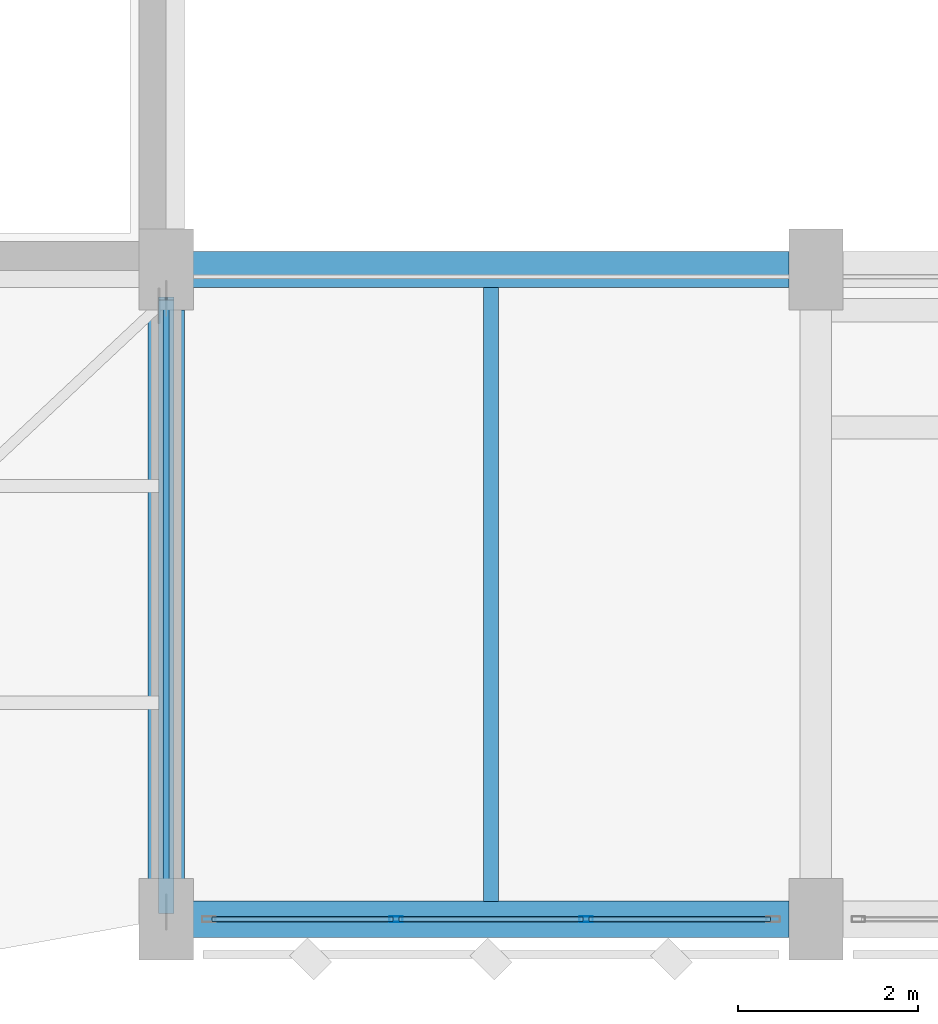
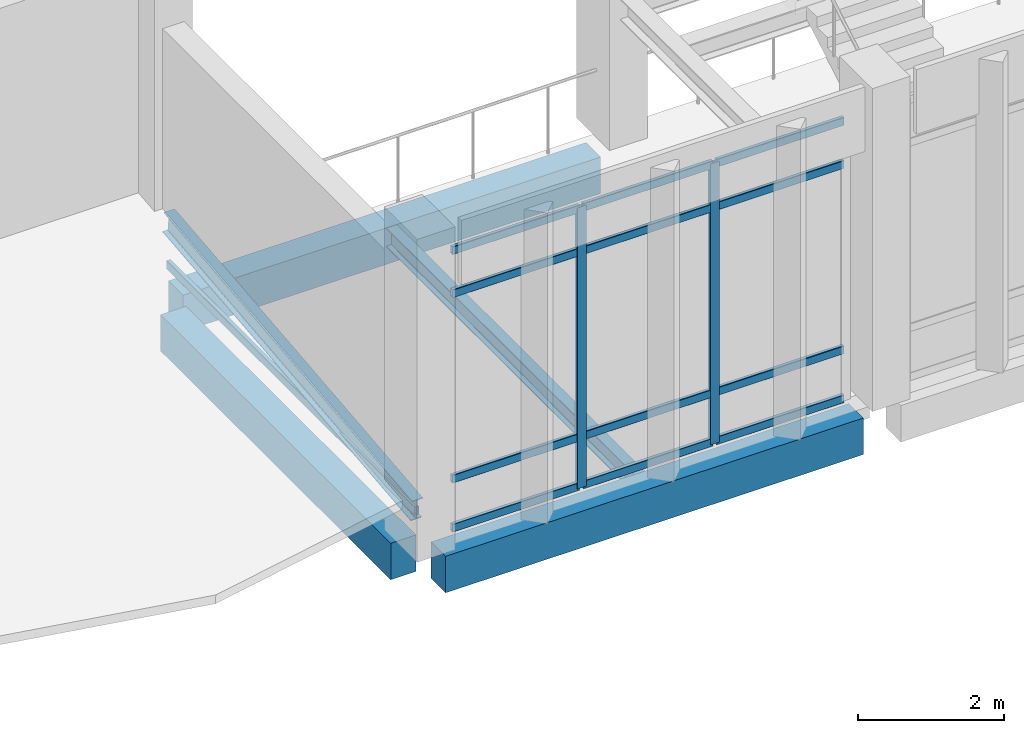
# One storey, part 42 of 180: 15 members, 5 beams, 1 element without a shape of its own.
"""IFC4 building model written with IfcOpenShell, lengths in metres."""

from ifc_helpers import new_model, si_unit, direction, frame, origin, origin_2d, place, context, subcontext, project, spatial, rectangle, hollow_rectangle, i_section, extrude, material, material_profile, profile_set, type_object, element, aggregate, save


model = new_model("IFC4")

# Units and contexts
model_context = context("Model", 3, precision=1e-05, world=origin(), true_north=direction((0.0, 1.0)))
body_context = subcontext(model_context, "Body", "Model", "MODEL_VIEW")
ifc_project = project(units=[si_unit("LENGTHUNIT", "METRE"), si_unit("AREAUNIT", "SQUARE_METRE"), si_unit("VOLUMEUNIT", "CUBIC_METRE"), si_unit("PLANEANGLEUNIT", "RADIAN"), si_unit("MASSUNIT", "GRAM", prefix="KILO")], contexts=[model_context])

# Site, building, storey
site_placement = place(None, origin())
site = spatial("IfcSite", under=ifc_project, at=site_placement, CompositionType="ELEMENT")
building_placement = place(site_placement, origin())
building = spatial("IfcBuilding", under=site, at=building_placement, Name="Lusvemor Sports Hall", CompositionType="ELEMENT")
storey_placement = place(building_placement, frame((0.0, 0.0, 5.39990234375)))
storey = spatial("IfcBuildingStorey", under=building, at=storey_placement, Name="L01", CompositionType="ELEMENT", Elevation=5.39990234375)

# Beam
ifc_material_1 = material(Name="Steel S355", Category="steel")
ifc_material_profile_1 = material_profile(ifc_material_1, i_section(OverallWidth=0.1708984375, OverallDepth=0.35498046875, WebThickness=0.007080078125, FlangeThickness=0.01171875, FilletRadius=0.014892578125, at=origin_2d()), Name="W360x51.0")
ifc_profile_set_1 = profile_set([ifc_material_profile_1], Name="Steel S355")
beam_type_1 = type_object("IfcBeamType", Name="BEAM_ST_360", PredefinedType="BEAM", material=ifc_profile_set_1)
beam_1_placement = place(storey_placement, frame((118.800048828125, 0.080078125, 0.461181640625), z_axis=(0.0, 0.99461932884, 0.103597252368), x_axis=(-1.0, 0.0, 0.0)))
element("IfcBeam", 1, at=beam_1_placement, inside=storey, type_object=beam_type_1, Name="Boulevard Canopy Rafter 13", PredefinedType="BEAM", context=body_context, shape_type="SweptSolid", body=[
    extrude(i_section(OverallWidth=0.1708984375, OverallDepth=0.35498046875, WebThickness=0.007080078125, FlangeThickness=0.01171875, FilletRadius=0.014892578125, at=origin_2d()), origin(), (0.0, 0.0, 1.0), 6.836669921875),
])

# Curtain wall, members
ifc_material_2 = material(Name="Thermally broken bronze-anodized aluminium", Category="aluminium")
curtain_wall_type = type_object("IfcCurtainWallType", Name="CW_COURT_C", PredefinedType="NOTDEFINED", material=ifc_material_2)
curtain_wall_placement = place(storey_placement, origin())
curtain_wall = element("IfcCurtainWall", 2, at=curtain_wall_placement, inside=storey, type_object=curtain_wall_type, Name="Curtain Wall CW-V2S-L01-0", PredefinedType="NOTDEFINED")
ifc_material_3 = material(Name="Thermally broken bronze-anodized aluminium", Category="aluminium")
ifc_material_profile_2 = material_profile(ifc_material_3, hollow_rectangle(XDim=0.06494140625, YDim=0.14990234375, WallThickness=0.00390625, InnerFilletRadius=0.00390625, OuterFilletRadius=0.008056640625, at=origin_2d()), Name="CWMUL150x65x4")
ifc_profile_set_2 = profile_set([ifc_material_profile_2], Name="Thermally broken bronze-anodized aluminium")
member_type_1 = type_object("IfcMemberType", Name="CW_MUL_B", PredefinedType="MULLION", material=ifc_profile_set_2)
member_1_placement = place(storey_placement, frame((123.453369140625, 0.0, 0.0), z_axis=(0.0, 0.0, 1.0), x_axis=(0.0, -1.0, 0.0)))
member_1 = element("IfcMember", 3, at=member_1_placement, type_object=member_type_1, Name="CW03 mullion 2", PredefinedType="MULLION", context=body_context, shape_type="SweptSolid", body=[
    extrude(hollow_rectangle(XDim=0.06494140625, YDim=0.14990234375, WallThickness=0.00390625, InnerFilletRadius=0.00390625, OuterFilletRadius=0.008056640625, at=origin_2d()), origin(), (0.0, 0.0, 1.0), 4.7001953125),
])
member_2_placement = place(storey_placement, frame((121.3466796875, 0.0, 0.0), z_axis=(0.0, 0.0, 1.0), x_axis=(0.0, -1.0, 0.0)))
member_2 = element("IfcMember", 4, at=member_2_placement, type_object=member_type_1, Name="CW03 mullion 3", PredefinedType="MULLION", context=body_context, shape_type="SweptSolid", body=[
    extrude(hollow_rectangle(XDim=0.06494140625, YDim=0.14990234375, WallThickness=0.00390625, InnerFilletRadius=0.00390625, OuterFilletRadius=0.008056640625, at=origin_2d()), origin(), (0.0, 0.0, 1.0), 4.7001953125),
])
ifc_material_4 = material(Name="Thermally broken bronze-anodized aluminium", Category="aluminium")
ifc_material_profile_3 = material_profile(ifc_material_4, hollow_rectangle(XDim=0.06005859375, YDim=0.135009765625, WallThickness=0.00390625, InnerFilletRadius=0.00390625, OuterFilletRadius=0.008056640625, at=origin_2d()), Name="CWTRN135x60x4")
ifc_profile_set_3 = profile_set([ifc_material_profile_3], Name="Thermally broken bronze-anodized aluminium")
member_type_2 = type_object("IfcMemberType", Name="CW_TRN_B", PredefinedType="USERDEFINED", material=ifc_profile_set_3)
member_3_placement = place(storey_placement, frame((125.4951171875, 0.0, 0.030029296875), z_axis=(-1.0, 0.0, 0.0), x_axis=(0.0, -1.0, 0.0)))
member_3 = element("IfcMember", 5, at=member_3_placement, type_object=member_type_2, Name="CW03 transom 1.1", ObjectType="TRANSOM", PredefinedType="USERDEFINED", context=body_context, shape_type="SweptSolid", body=[
    extrude(hollow_rectangle(XDim=0.06005859375, YDim=0.135009765625, WallThickness=0.00390625, InnerFilletRadius=0.00390625, OuterFilletRadius=0.008056640625, at=origin_2d()), origin(), (0.0, 0.0, 1.0), 2.00927734375),
])
member_4_placement = place(storey_placement, frame((125.4951171875, 0.0, 0.85009765625), z_axis=(-1.0, 0.0, 0.0), x_axis=(0.0, -1.0, 0.0)))
member_4 = element("IfcMember", 6, at=member_4_placement, type_object=member_type_2, Name="CW03 transom 1.2", ObjectType="TRANSOM", PredefinedType="USERDEFINED", context=body_context, shape_type="SweptSolid", body=[
    extrude(hollow_rectangle(XDim=0.06005859375, YDim=0.135009765625, WallThickness=0.00390625, InnerFilletRadius=0.00390625, OuterFilletRadius=0.008056640625, at=origin_2d()), origin(), (0.0, 0.0, 1.0), 2.00927734375),
])
member_5_placement = place(storey_placement, frame((125.4951171875, 0.0, 3.9501953125), z_axis=(-1.0, 0.0, 0.0), x_axis=(0.0, -1.0, 0.0)))
member_5 = element("IfcMember", 7, at=member_5_placement, type_object=member_type_2, Name="CW03 transom 1.3", ObjectType="TRANSOM", PredefinedType="USERDEFINED", context=body_context, shape_type="SweptSolid", body=[
    extrude(hollow_rectangle(XDim=0.06005859375, YDim=0.135009765625, WallThickness=0.00390625, InnerFilletRadius=0.00390625, OuterFilletRadius=0.008056640625, at=origin_2d()), origin(), (0.0, 0.0, 1.0), 2.00927734375),
])
member_6_placement = place(storey_placement, frame((125.4951171875, 0.0, 4.670166015625), z_axis=(-1.0, 0.0, 0.0), x_axis=(0.0, -1.0, 0.0)))
member_6 = element("IfcMember", 8, at=member_6_placement, type_object=member_type_2, Name="CW03 transom 1.4", ObjectType="TRANSOM", PredefinedType="USERDEFINED", context=body_context, shape_type="SweptSolid", body=[
    extrude(hollow_rectangle(XDim=0.06005859375, YDim=0.135009765625, WallThickness=0.00390625, InnerFilletRadius=0.00390625, OuterFilletRadius=0.008056640625, at=origin_2d()), origin(), (0.0, 0.0, 1.0), 2.00927734375),
])
member_7_placement = place(storey_placement, frame((123.4208984375, 0.0, 0.030029296875), z_axis=(-1.0, 0.0, 0.0), x_axis=(0.0, -1.0, 0.0)))
member_7 = element("IfcMember", 9, at=member_7_placement, type_object=member_type_2, Name="CW03 transom 2.1", ObjectType="TRANSOM", PredefinedType="USERDEFINED", context=body_context, shape_type="SweptSolid", body=[
    extrude(hollow_rectangle(XDim=0.06005859375, YDim=0.135009765625, WallThickness=0.00390625, InnerFilletRadius=0.00390625, OuterFilletRadius=0.008056640625, at=origin_2d()), origin(), (0.0, 0.0, 1.0), 2.041748046875),
])
member_8_placement = place(storey_placement, frame((123.4208984375, 0.0, 0.85009765625), z_axis=(-1.0, 0.0, 0.0), x_axis=(0.0, -1.0, 0.0)))
member_8 = element("IfcMember", 10, at=member_8_placement, type_object=member_type_2, Name="CW03 transom 2.2", ObjectType="TRANSOM", PredefinedType="USERDEFINED", context=body_context, shape_type="SweptSolid", body=[
    extrude(hollow_rectangle(XDim=0.06005859375, YDim=0.135009765625, WallThickness=0.00390625, InnerFilletRadius=0.00390625, OuterFilletRadius=0.008056640625, at=origin_2d()), origin(), (0.0, 0.0, 1.0), 2.041748046875),
])
member_9_placement = place(storey_placement, frame((123.4208984375, 0.0, 3.9501953125), z_axis=(-1.0, 0.0, 0.0), x_axis=(0.0, -1.0, 0.0)))
member_9 = element("IfcMember", 11, at=member_9_placement, type_object=member_type_2, Name="CW03 transom 2.3", ObjectType="TRANSOM", PredefinedType="USERDEFINED", context=body_context, shape_type="SweptSolid", body=[
    extrude(hollow_rectangle(XDim=0.06005859375, YDim=0.135009765625, WallThickness=0.00390625, InnerFilletRadius=0.00390625, OuterFilletRadius=0.008056640625, at=origin_2d()), origin(), (0.0, 0.0, 1.0), 2.041748046875),
])
member_10_placement = place(storey_placement, frame((123.4208984375, 0.0, 4.670166015625), z_axis=(-1.0, 0.0, 0.0), x_axis=(0.0, -1.0, 0.0)))
member_10 = element("IfcMember", 12, at=member_10_placement, type_object=member_type_2, Name="CW03 transom 2.4", ObjectType="TRANSOM", PredefinedType="USERDEFINED", context=body_context, shape_type="SweptSolid", body=[
    extrude(hollow_rectangle(XDim=0.06005859375, YDim=0.135009765625, WallThickness=0.00390625, InnerFilletRadius=0.00390625, OuterFilletRadius=0.008056640625, at=origin_2d()), origin(), (0.0, 0.0, 1.0), 2.041748046875),
])
member_11_placement = place(storey_placement, frame((121.314208984375, 0.0, 0.030029296875), z_axis=(-1.0, 0.0, 0.0), x_axis=(0.0, -1.0, 0.0)))
member_11 = element("IfcMember", 13, at=member_11_placement, type_object=member_type_2, Name="CW03 transom 3.1", ObjectType="TRANSOM", PredefinedType="USERDEFINED", context=body_context, shape_type="SweptSolid", body=[
    extrude(hollow_rectangle(XDim=0.06005859375, YDim=0.135009765625, WallThickness=0.00390625, InnerFilletRadius=0.00390625, OuterFilletRadius=0.008056640625, at=origin_2d()), origin(), (0.0, 0.0, 1.0), 2.00927734375),
])
member_12_placement = place(storey_placement, frame((121.314208984375, 0.0, 0.85009765625), z_axis=(-1.0, 0.0, 0.0), x_axis=(0.0, -1.0, 0.0)))
member_12 = element("IfcMember", 14, at=member_12_placement, type_object=member_type_2, Name="CW03 transom 3.2", ObjectType="TRANSOM", PredefinedType="USERDEFINED", context=body_context, shape_type="SweptSolid", body=[
    extrude(hollow_rectangle(XDim=0.06005859375, YDim=0.135009765625, WallThickness=0.00390625, InnerFilletRadius=0.00390625, OuterFilletRadius=0.008056640625, at=origin_2d()), origin(), (0.0, 0.0, 1.0), 2.00927734375),
])
member_13_placement = place(storey_placement, frame((121.314208984375, 0.0, 3.9501953125), z_axis=(-1.0, 0.0, 0.0), x_axis=(0.0, -1.0, 0.0)))
member_13 = element("IfcMember", 15, at=member_13_placement, type_object=member_type_2, Name="CW03 transom 3.3", ObjectType="TRANSOM", PredefinedType="USERDEFINED", context=body_context, shape_type="SweptSolid", body=[
    extrude(hollow_rectangle(XDim=0.06005859375, YDim=0.135009765625, WallThickness=0.00390625, InnerFilletRadius=0.00390625, OuterFilletRadius=0.008056640625, at=origin_2d()), origin(), (0.0, 0.0, 1.0), 2.00927734375),
])
member_14_placement = place(storey_placement, frame((121.314208984375, 0.0, 4.670166015625), z_axis=(-1.0, 0.0, 0.0), x_axis=(0.0, -1.0, 0.0)))
member_14 = element("IfcMember", 16, at=member_14_placement, type_object=member_type_2, Name="CW03 transom 3.4", ObjectType="TRANSOM", PredefinedType="USERDEFINED", context=body_context, shape_type="SweptSolid", body=[
    extrude(hollow_rectangle(XDim=0.06005859375, YDim=0.135009765625, WallThickness=0.00390625, InnerFilletRadius=0.00390625, OuterFilletRadius=0.008056640625, at=origin_2d()), origin(), (0.0, 0.0, 1.0), 2.00927734375),
])
aggregate(curtain_wall, [member_1, member_2, member_3, member_4, member_5, member_6, member_7, member_8, member_9, member_10, member_11, member_12, member_13, member_14])

# Beams
ifc_material_5 = material(Name="Steel S355", Category="steel")
ifc_material_profile_4 = material_profile(ifc_material_5, i_section(OverallWidth=0.1669921875, OverallDepth=0.31689453125, WebThickness=0.007568359375, FlangeThickness=0.01318359375, FilletRadius=0.014892578125, at=origin_2d()), Name="W310x52.0")
ifc_profile_set_4 = profile_set([ifc_material_profile_4], Name="Steel S355")
beam_type_2 = type_object("IfcBeamType", Name="JOIST_ST_310M", PredefinedType="JOIST", material=ifc_profile_set_4)
beam_2_placement = place(storey_placement, frame((122.39990234375, 0.196044921875, -0.42236328125), z_axis=(0.0, 1.0, 0.0), x_axis=(-1.0, 0.0, 0.0)))
element("IfcBeam", 17, at=beam_2_placement, inside=storey, type_object=beam_type_2, Name="Secondary Joist L01 13-14/A-B #1", PredefinedType="JOIST", context=body_context, shape_type="SweptSolid", body=[
    extrude(i_section(OverallWidth=0.1669921875, OverallDepth=0.31689453125, WebThickness=0.007568359375, FlangeThickness=0.01318359375, FilletRadius=0.014892578125, at=origin_2d()), origin(), (0.0, 0.0, 1.0), 6.807861328125),
])
ifc_material_6 = material(Name="Concrete C40/50", Category="concrete")
ifc_material_profile_5 = material_profile(ifc_material_6, rectangle(XDim=0.39990234375, YDim=0.610107421875, at=origin_2d()), Name="RC400x610")
ifc_profile_set_5 = profile_set([ifc_material_profile_5], Name="Concrete C40/50")
beam_type_3 = type_object("IfcBeamType", Name="SPAND_EXT_650", PredefinedType="SPANDREL", material=ifc_profile_set_5)
for number, where, z_axis, x_axis, name in (
    (18, (119.095947265625, 0.0, -0.56494140625), (1.0, 0.0, 0.0), (0.0, 1.0, 0.0), "Beam L01 A:13-14"),
    (19, (119.095947265625, 7.199951171875, -0.56494140625), (1.0, 0.0, 0.0), (0.0, 1.0, 0.0), "Beam L01 B:13-14"),
):
    element("IfcBeam", number, at=place(storey_placement, frame(where, z_axis=z_axis, x_axis=x_axis)), inside=storey, type_object=beam_type_3, Name=name, PredefinedType="SPANDREL", context=body_context, shape_type="SweptSolid", body=[
        extrude(rectangle(XDim=0.39990234375, YDim=0.610107421875, at=origin_2d()), origin(), (0.0, 0.0, 1.0), 6.608154296875),
    ])
beam_3_placement = place(storey_placement, frame((118.800048828125, 0.446044921875, -0.56494140625), z_axis=(0.0, 1.0, 0.0), x_axis=(-1.0, 0.0, 0.0)))
element("IfcBeam", 20, at=beam_3_placement, inside=storey, type_object=beam_type_3, Name="Beam L01 13:A-B", PredefinedType="SPANDREL", context=body_context, shape_type="SweptSolid", body=[
    extrude(rectangle(XDim=0.39990234375, YDim=0.610107421875, at=origin_2d()), origin(), (0.0, 0.0, 1.0), 6.307861328125),
])

# Member
ifc_material_7 = material(Name="Steel S355", Category="steel")
ifc_material_profile_6 = material_profile(ifc_material_7, hollow_rectangle(XDim=0.070068359375, YDim=0.139892578125, WallThickness=0.0048828125, InnerFilletRadius=0.0048828125, OuterFilletRadius=0.010009765625, at=origin_2d()), Name="RHS140x70x5")
ifc_profile_set_6 = profile_set([ifc_material_profile_6], Name="Steel S355")
member_type_3 = type_object("IfcMemberType", Name="STRUT_TIE_140", PredefinedType="STRUT", material=ifc_profile_set_6)
member_15_placement = place(storey_placement, frame((118.800048828125, 0.080078125, 0.440185546875), z_axis=(0.0, 1.0, 0.0), x_axis=(-1.0, 0.0, 0.0)))
element("IfcMember", 21, at=member_15_placement, inside=storey, type_object=member_type_3, Name="Canopy Tie Rod 13", PredefinedType="STRUT", context=body_context, shape_type="SweptSolid", body=[
    extrude(hollow_rectangle(XDim=0.070068359375, YDim=0.139892578125, WallThickness=0.0048828125, InnerFilletRadius=0.0048828125, OuterFilletRadius=0.010009765625, at=origin_2d()), origin(), (0.0, 0.0, 1.0), 6.7998046875),
])

save(model, "model.ifc")
